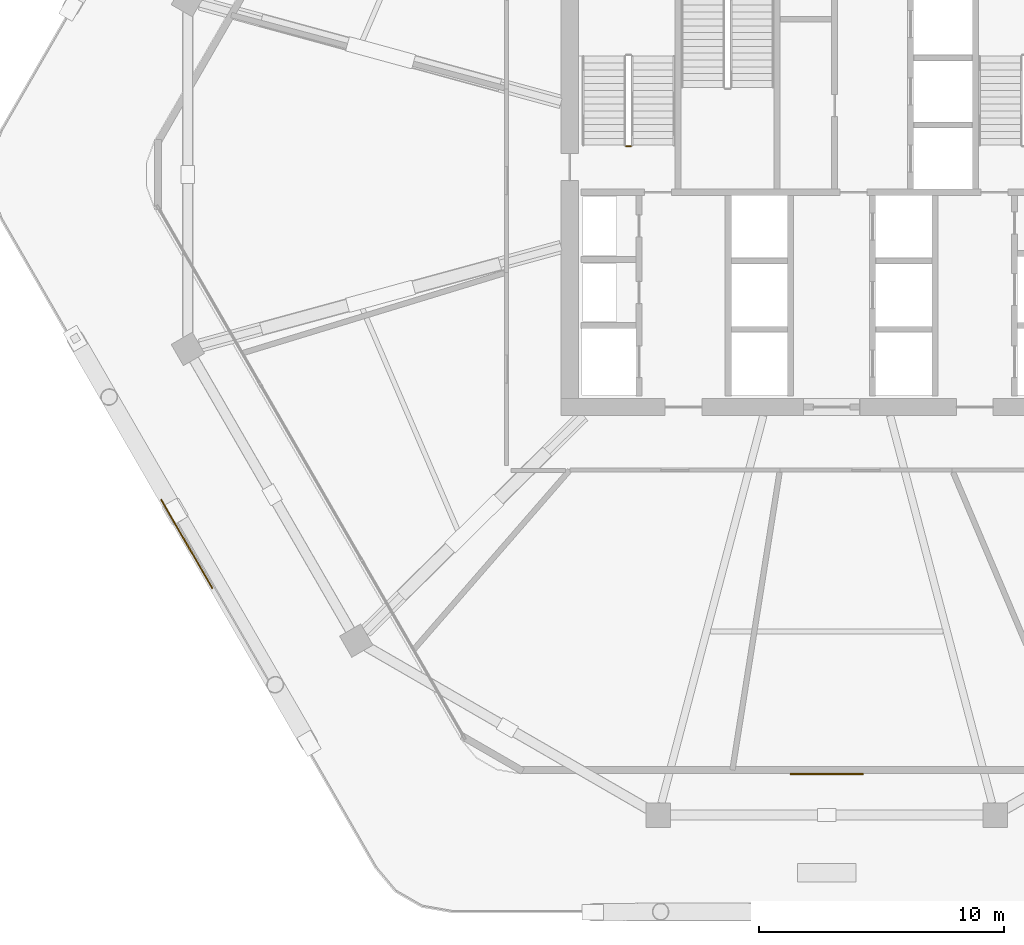
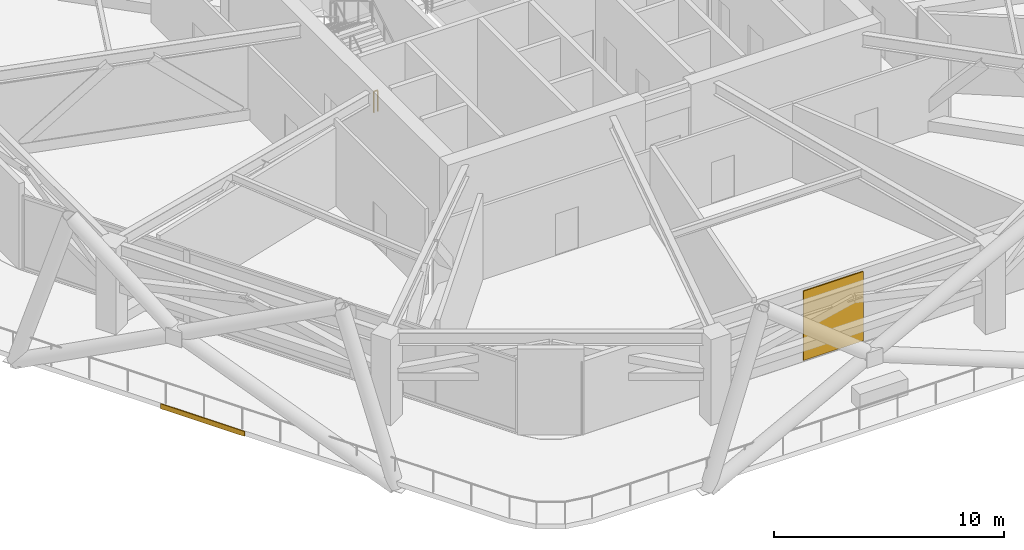
# One storey, part 16 of 20: 1 covering, 1 railing, 1 shading device.
"""IFC4 building model written with IfcOpenShell, lengths in metres."""

from ifc_helpers import new_model, si_unit, direction, frame, origin, origin_2d, place, context, subcontext, project, spatial, rectangle, extrude, material, layer, layer_set, type_object, element, save


model = new_model("IFC4")

# Units and contexts
model_context = context("Model", 3, precision=1e-05, world=origin(), true_north=direction((0.0, 1.0)))
body_context = subcontext(model_context, "Body", "Model", "MODEL_VIEW")
ifc_project = project(units=[si_unit("LENGTHUNIT", "METRE"), si_unit("AREAUNIT", "SQUARE_METRE"), si_unit("VOLUMEUNIT", "CUBIC_METRE"), si_unit("PLANEANGLEUNIT", "RADIAN"), si_unit("MASSUNIT", "GRAM", prefix="KILO")], contexts=[model_context])

# Site, building, storey
site_placement = place(None, origin())
site = spatial("IfcSite", under=ifc_project, at=site_placement, CompositionType="ELEMENT")
building_placement = place(site_placement, origin())
building = spatial("IfcBuilding", under=site, at=building_placement, Name="Zuhravey Tower", CompositionType="ELEMENT")
storey_placement = place(building_placement, frame((0.0, 0.0, 145.60009765625)))
storey = spatial("IfcBuildingStorey", under=building, at=storey_placement, Name="L36", CompositionType="ELEMENT", Elevation=145.60009765625)

# Shading device
ifc_material_1 = material(Name="Bronze-anodised perforated aluminium", Category="aluminium")
ifc_layer_1 = layer(ifc_material_1, 0.06005859375)
ifc_layer_set_1 = layer_set([ifc_layer_1], Name="Bronze-anodised perforated aluminium")
shading_device_type = type_object("IfcShadingDeviceType", Name="Girih Mashrabiya Solar Screen", PredefinedType="USERDEFINED", material=ifc_layer_set_1)
shading_device_placement = place(storey_placement, frame((36.0, 7.496826171875, 0.099853515625), z_axis=(0.0, 0.0, 1.0), x_axis=(-1.0, 0.0, 0.0)))
element("IfcShadingDevice", 1, at=shading_device_placement, inside=storey, type_object=shading_device_type, Name="L36 Face 5 Girih Solar Screen SCR1", ObjectType="SCREEN", PredefinedType="USERDEFINED", context=body_context, shape_type="SweptSolid", body=[
    extrude(rectangle(XDim=3.0, YDim=0.06005859375, at=origin_2d()), origin(), (0.0, 0.0, 1.0), 3.669921875),
])

# Covering
ifc_material_2 = material(Name="Architectural GRC cladding panel")
ifc_layer_2 = layer(ifc_material_2, 0.048095703125)
ifc_layer_set_2 = layer_set([ifc_layer_2], Name="Architectural GRC cladding panel")
covering_type = type_object("IfcCoveringType", Name="Precast Girih Spandrel Cladding CLD2", PredefinedType="CLADDING", material=ifc_layer_set_2)
covering_placement = place(storey_placement, frame((9.848388671875, 16.901611328125, -0.26025390625), z_axis=(0.0, 0.0, 1.0), x_axis=(-0.5, 0.866025403784, 0.0)))
element("IfcCovering", 2, at=covering_placement, inside=storey, type_object=covering_type, Name="L36 Face 4 Girih Spandrel Cladding CLD2", PredefinedType="CLADDING", context=body_context, shape_type="SweptSolid", body=[
    extrude(rectangle(XDim=4.199951171875, YDim=0.048095703125, at=origin_2d()), origin(), (0.0, 0.0, 1.0), 0.260009765625),
])

# Railing
ifc_material_3 = material(Name="Painted tubular steel", Category="steel")
railing_type = type_object("IfcRailingType", Name="Stair Well Guardrail 1150", PredefinedType="GUARDRAIL", material=ifc_material_3)
railing_placement = place(storey_placement, frame((28.0, 33.14990234375, 0.0)))
element("IfcRailing", 3, at=railing_placement, inside=storey, type_object=railing_type, Name="L36 ST1 stair guard 4", PredefinedType="GUARDRAIL", context=body_context, shape_type="SweptSolid", body=[
    extrude(rectangle(XDim=0.048095703125, YDim=0.048095703125, at=origin_2d()), frame((-0.001953125, 0.0, 1.1259765625), z_axis=(-1.0, 0.0, 0.0), x_axis=(0.0, -1.0, 0.0)), (0.0, 0.0, 1.0), 0.196044921875),
    extrude(rectangle(XDim=0.0419921875, YDim=0.0419921875, at=origin_2d()), origin(), (0.0, 0.0, 1.0), 1.099853515625),
    extrude(rectangle(XDim=0.0419921875, YDim=0.0419921875, at=origin_2d()), frame((-0.199951171875, 0.0, 0.0)), (0.0, 0.0, 1.0), 1.099853515625),
])

save(model, "model.ifc")
